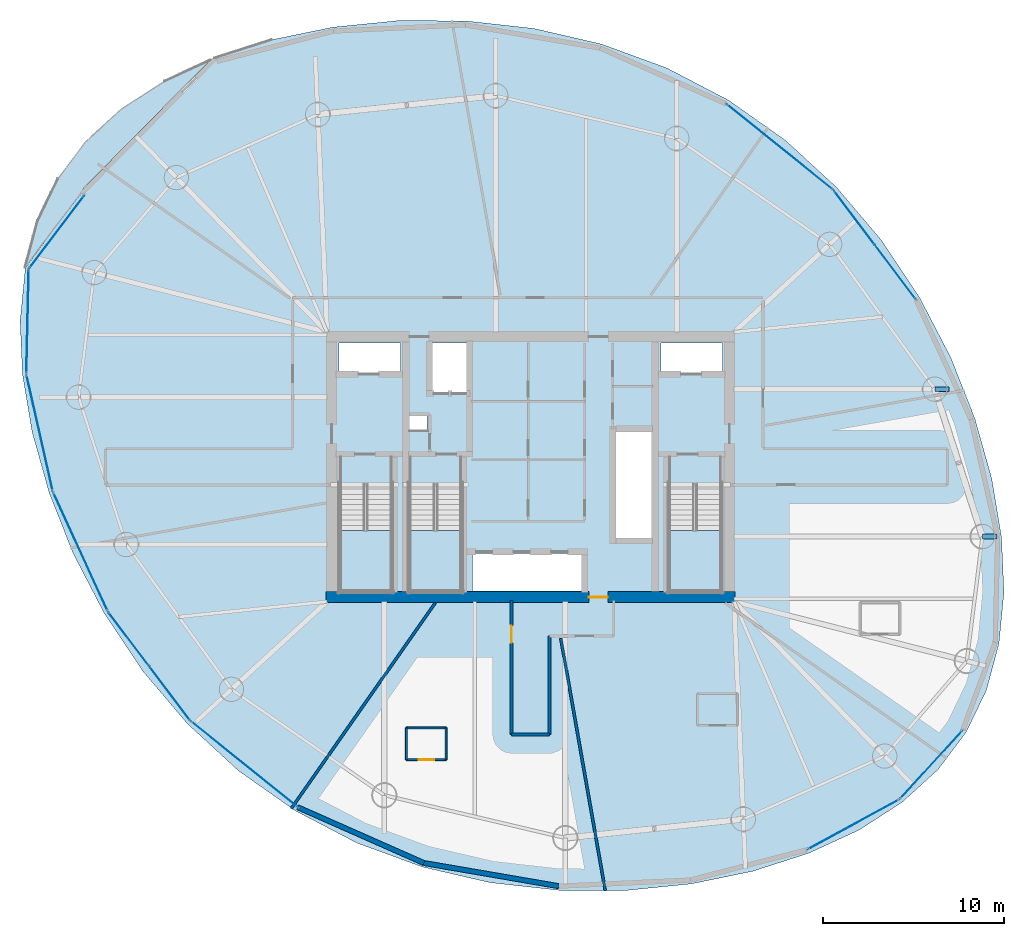
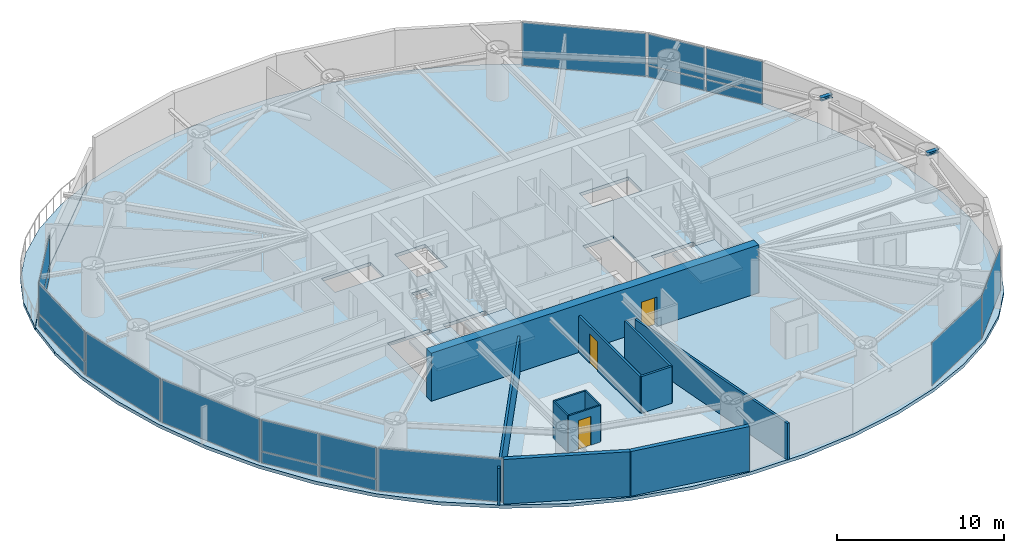
# One storey, part 14 of 20: 18 plates, 12 walls, 5 slabs, 3 doors, 2 beams, 3 openings, 13 elements without a shape of their own.
"""IFC4 building model written with IfcOpenShell, lengths in metres."""

import ifcopenshell
import ifcopenshell.guid

model = None  # the IFC model being written
_history = None  # IfcOwnerHistory: only IFC2X3 demands one
_inside = {}  # id of a spatial element -> (the spatial element, [elements in it])
_under = {}  # id of a project, library or spatial element -> (it, [spatial elements below it])
_declared = {}  # id of a project -> (the project, [libraries it declares])
_typed = {}  # id of a type object -> (the type object, [elements of that type])
_made_of = {}  # id of a material, layer set ... -> (it, [elements and type objects made of it])


def new_model(schema):
    """Start an empty IFC model of exactly this schema.

    Asked for "IFC4X3", IfcOpenShell would pick the latest addendum, in which some entities
    have other attributes; the version numbers below select the first issue.
    IFC2X3 requires an IfcOwnerHistory on every rooted entity: one is made here for all.
    """
    global model, _history
    if schema == "IFC4X3":
        model = ifcopenshell.file(schema_version=(4, 3, 0, 0))
    else:
        model = ifcopenshell.file(schema=schema)
    _inside.clear()
    _under.clear()
    _declared.clear()
    _typed.clear()
    _made_of.clear()
    _history = None
    if model.schema == "IFC2X3":
        org = make("IfcOrganization", Name="unknown")
        user = make(
            "IfcPersonAndOrganization",
            ThePerson=make("IfcPerson", FamilyName="unknown"),
            TheOrganization=org,
        )
        app = make(
            "IfcApplication",
            ApplicationDeveloper=org,
            Version="unknown",
            ApplicationFullName="unknown",
            ApplicationIdentifier="unknown",
        )
        _history = make(
            "IfcOwnerHistory",
            OwningUser=user,
            OwningApplication=app,
            ChangeAction="ADDED",
            CreationDate=0,
        )
    return model


def make(cls, **values):
    """One entity of the class cls with the attributes given. An attribute that is None is left unset."""
    return model.create_entity(
        cls, **{name: value for name, value in values.items() if value is not None}
    )


def rooted(cls, **values):
    """An entity with a GlobalId (a new one), such as an element, a storey or a relation."""
    return make(cls, GlobalId=ifcopenshell.guid.new(), OwnerHistory=_history, **values)


def si_unit(unit_type, name, prefix=None):
    """IfcSIUnit, for example si_unit("LENGTHUNIT", "METRE", prefix="MILLI")."""
    return make("IfcSIUnit", UnitType=unit_type, Prefix=prefix, Name=name)


def assignment(units):
    """IfcUnitAssignment: the units of a project."""
    return None if units is None else make("IfcUnitAssignment", Units=units)


def point(xyz):
    """IfcCartesianPoint."""
    return None if xyz is None else make("IfcCartesianPoint", Coordinates=xyz)


def direction(xyz):
    """IfcDirection."""
    return None if xyz is None else make("IfcDirection", DirectionRatios=xyz)


def frame(location, z_axis=None, x_axis=None):
    """IfcAxis2Placement3D, a coordinate frame: its origin and axes. An axis left out is left unset."""
    return make(
        "IfcAxis2Placement3D",
        Location=point(location),
        Axis=direction(z_axis),
        RefDirection=direction(x_axis),
    )


def frame_2d(location, x_axis=None):
    """IfcAxis2Placement2D, a coordinate frame in the plane: its origin and x axis."""
    return make(
        "IfcAxis2Placement2D", Location=point(location), RefDirection=direction(x_axis)
    )


def origin():
    """The frame at (0, 0, 0) with its axes left unset."""
    return frame((0.0, 0.0, 0.0))


def origin_2d():
    """The frame at (0, 0) in the plane with its x axis left unset."""
    return frame_2d((0.0, 0.0))


def place(relative_to, where):
    """IfcLocalPlacement: puts the frame where relative to a parent placement (None: the world)."""
    return make(
        "IfcLocalPlacement", PlacementRelTo=relative_to, RelativePlacement=where
    )


def context(
    kind, dimensions, precision=None, world=None, true_north=None, identifier=None
):
    """IfcGeometricRepresentationContext, for example the 3D "Model" context."""
    return make(
        "IfcGeometricRepresentationContext",
        ContextIdentifier=identifier,
        ContextType=kind,
        CoordinateSpaceDimension=dimensions,
        Precision=precision,
        WorldCoordinateSystem=world,
        TrueNorth=true_north,
    )


def subcontext(parent, identifier, kind, view, scale=None):
    """IfcGeometricRepresentationSubContext, for example "Body" below "Model"."""
    return make(
        "IfcGeometricRepresentationSubContext",
        ContextIdentifier=identifier,
        ContextType=kind,
        ParentContext=parent,
        TargetScale=scale,
        TargetView=view,
    )


def project(units=None, contexts=None):
    """IfcProject with its units and contexts."""
    return rooted(
        "IfcProject",
        Name="project",
        RepresentationContexts=contexts,
        UnitsInContext=assignment(units),
    )


def spatial(cls, under=None, at=None, **own):
    """A site, building, storey or space (cls), placed at a placement, below another one or the project."""
    s = rooted(cls, ObjectPlacement=at, **own)
    if under is not None:
        _under.setdefault(under.id(), (under, []))[1].append(s)
    return s


def polyline(points):
    """IfcPolyline through the points."""
    return make("IfcPolyline", Points=[point(p) for p in points])


def profile(cls, at=None, kind="AREA", **sizes):
    """A parametric profile (cls). Its sizes go by their IFC names, for example OverallWidth=200.0."""
    return make(cls, ProfileType=kind, Position=at, **sizes)


def rectangle(**sizes):
    """IfcRectangleProfileDef."""
    return profile("IfcRectangleProfileDef", **sizes)


def i_section(**sizes):
    """IfcIShapeProfileDef."""
    return profile("IfcIShapeProfileDef", **sizes)


def outline(outer, holes=None, kind="AREA"):
    """IfcArbitraryClosedProfileDef: a profile drawn as a closed curve; with holes, ...WithVoids."""
    if holes is None:
        return make("IfcArbitraryClosedProfileDef", ProfileType=kind, OuterCurve=outer)
    return make(
        "IfcArbitraryProfileDefWithVoids",
        ProfileType=kind,
        OuterCurve=outer,
        InnerCurves=holes,
    )


def extrude(swept, where, along, depth):
    """IfcExtrudedAreaSolid: the profile swept, set in the frame where, extruded along a direction by depth."""
    return make(
        "IfcExtrudedAreaSolid",
        SweptArea=swept,
        Position=where,
        ExtrudedDirection=direction(along),
        Depth=depth,
    )


def shape(context_of_items, identifier, shape_type, items):
    """IfcShapeRepresentation: the items that make up one representation, for example the "Body"."""
    return make(
        "IfcShapeRepresentation",
        ContextOfItems=context_of_items,
        RepresentationIdentifier=identifier,
        RepresentationType=shape_type,
        Items=items,
    )


def material(Name=None, Category=None):
    """IfcMaterial."""
    return make("IfcMaterial", Name=Name, Category=Category)


def layer(
    of_material, thickness, ventilated=None, Name=None, Category=None, Priority=None
):
    """IfcMaterialLayer: one layer of a wall or slab, of a material (None: an air gap)."""
    return make(
        "IfcMaterialLayer",
        Material=of_material,
        LayerThickness=thickness,
        IsVentilated=ventilated,
        Name=Name,
        Category=Category,
        Priority=Priority,
    )


def layer_set(layers, Name=None):
    """IfcMaterialLayerSet."""
    return make("IfcMaterialLayerSet", MaterialLayers=layers, LayerSetName=Name)


def material_profile(
    of_material, cross_section, Name=None, Category=None, Priority=None
):
    """IfcMaterialProfile: a cross section and its material."""
    return make(
        "IfcMaterialProfile",
        Name=Name,
        Material=of_material,
        Profile=cross_section,
        Priority=Priority,
        Category=Category,
    )


def profile_set(profiles, Name=None, composite=None):
    """IfcMaterialProfileSet."""
    return make(
        "IfcMaterialProfileSet",
        Name=Name,
        MaterialProfiles=profiles,
        CompositeProfile=composite,
    )


def made_of(thing, what):
    """Note that an element or type object is made of a material, layer set ...; save() writes the relation."""
    if what is not None:
        _made_of.setdefault(what.id(), (what, []))[1].append(thing)
    return thing


def type_object(cls, material=None, **own):
    """A type object (cls), such as IfcWallType, which elements share."""
    return made_of(rooted(cls, **own), material)


def element(
    cls,
    number,
    at=None,
    inside=None,
    cuts=None,
    type_object=None,
    material=None,
    context=None,
    identifier="Body",
    shape_type=None,
    held_by="IfcProductDefinitionShape",
    body=None,
    shapes=None,
    **own,
):
    """One element of the class cls, such as IfcWall. Its Tag is "e" and its number.

    at: its placement. inside: the storey or other place that contains it. cuts: it is an
    opening in that element (IfcRelVoidsElement). A single representation is given by context,
    identifier, shape_type and body (its items); several are given by shapes. held_by: the class
    of the entity that holds the representations. save() writes the other relations.
    """
    e = rooted(cls, Tag="e%d" % number, ObjectPlacement=at, **own)
    if body is not None:
        shapes = [shape(context, identifier, shape_type, body)]
    if shapes is not None:
        e.Representation = make(held_by, Representations=shapes)
    if inside is not None:
        _inside.setdefault(inside.id(), (inside, []))[1].append(e)
    if cuts is not None:
        rooted(
            "IfcRelVoidsElement", RelatingBuildingElement=cuts, RelatedOpeningElement=e
        )
    if type_object is not None:
        _typed.setdefault(type_object.id(), (type_object, []))[1].append(e)
    return made_of(e, material)


def fill(opening, filler):
    """IfcRelFillsElement: the door or window that sits in an opening."""
    return rooted(
        "IfcRelFillsElement",
        RelatingOpeningElement=opening,
        RelatedBuildingElement=filler,
    )


def aggregate(whole, parts):
    """IfcRelAggregates: a whole, such as a stair, and the parts it consists of."""
    return rooted("IfcRelAggregates", RelatingObject=whole, RelatedObjects=parts)


def save(model, path):
    """Write the relations noted so far, then the file.

    IfcRelAggregates (storeys below a building ...), IfcRelContainedInSpatialStructure (elements
    in a storey), IfcRelDefinesByType, IfcRelAssociatesMaterial and IfcRelDeclares: one each for
    every whole, place, type object, material and project.
    """
    for whole, parts in _under.values():
        aggregate(whole, parts)
    for where, things in _inside.values():
        rooted(
            "IfcRelContainedInSpatialStructure",
            RelatedElements=things,
            RelatingStructure=where,
        )
    for kind, things in _typed.values():
        rooted("IfcRelDefinesByType", RelatedObjects=things, RelatingType=kind)
    for what, things in _made_of.values():
        rooted("IfcRelAssociatesMaterial", RelatedObjects=things, RelatingMaterial=what)
    for by, libraries in _declared.values():
        rooted("IfcRelDeclares", RelatingContext=by, RelatedDefinitions=libraries)
    model.write(path)


model = new_model("IFC4")

# Units and contexts
model_context = context("Model", 3, precision=1e-05, world=origin(), true_north=direction((0.0, 1.0)))
body_context = subcontext(model_context, "Body", "Model", "MODEL_VIEW")
ifc_project = project(units=[si_unit("LENGTHUNIT", "METRE"), si_unit("AREAUNIT", "SQUARE_METRE"), si_unit("VOLUMEUNIT", "CUBIC_METRE"), si_unit("PLANEANGLEUNIT", "RADIAN"), si_unit("MASSUNIT", "GRAM", prefix="KILO")], contexts=[model_context])

# Site, building, storey
site_placement = place(None, origin())
site = spatial("IfcSite", under=ifc_project, at=site_placement, CompositionType="ELEMENT")
building_placement = place(site_placement, origin())
building = spatial("IfcBuilding", under=site, at=building_placement, Name="Bramvorn Convention Spire", CompositionType="ELEMENT")
storey_placement = place(building_placement, frame((0.0, 0.0, 155.300048828125)))
storey = spatial("IfcBuildingStorey", under=building, at=storey_placement, Name="L39", CompositionType="ELEMENT", Elevation=155.300048828125)

# Beams
ifc_material_1 = material(Name="Steel CSA G40.21 Grade 350 (350W)", Category="steel")
ifc_material_profile = material_profile(ifc_material_1, i_section(OverallWidth=0.25390625, OverallDepth=0.2529296875, WebThickness=0.008544921875, FlangeThickness=0.01416015625, FilletRadius=0.011962890625, at=origin_2d()))
ifc_profile_set = profile_set([ifc_material_profile], Name="Steel CSA G40.21 Grade 350 (350W) - W250X73")
beam_type = type_object("IfcBeamType", Name="BM-W250X73", PredefinedType="BEAM", material=ifc_profile_set)
for number, where, z_axis, x_axis, name in (
    (1, (62.983642578125, 22.148193359375, 3.133544921875), (1.0, 0.0, 0.0), (0.0, 1.0, 0.0), "L39 slab-edge cantilever tip beam MC02"),
    (2, (60.345703125, 30.293212890625, 3.133544921875), (1.0, 0.0, 0.0), (0.0, 1.0, 0.0), "L39 slab-edge cantilever tip beam MC03"),
):
    element("IfcBeam", number, at=place(storey_placement, frame(where, z_axis=z_axis, x_axis=x_axis)), inside=storey, type_object=beam_type, Name=name, PredefinedType="BEAM", context=body_context, shape_type="SweptSolid", body=[
        extrude(i_section(OverallWidth=0.25390625, OverallDepth=0.2529296875, WebThickness=0.008544921875, FlangeThickness=0.01416015625, FilletRadius=0.011962890625, at=origin_2d()), origin(), (0.0, 0.0, 1.0), 0.800048828125),
    ])

# Curtain wall, plates
ifc_material_2 = material(Name="Anodised Bronze Unitised Curtain Wall", Category="aluminium")
ifc_layer_1 = layer(ifc_material_2, 0.179931640625)
ifc_layer_set_1 = layer_set([ifc_layer_1], Name="Anodised Bronze Unitised Curtain Wall - CW-HTL-FRIT")
curtain_wall_type_1 = type_object("IfcCurtainWallType", Name="CW-HTL-FRIT", PredefinedType="USERDEFINED", material=ifc_layer_set_1)
curtain_wall_1_placement = place(storey_placement, origin())
curtain_wall_1 = element("IfcCurtainWall", 3, at=curtain_wall_1_placement, inside=storey, type_object=curtain_wall_type_1, Name="L39 fritted glass curtain wall 05", ObjectType="UNITISED CURTAIN WALL", PredefinedType="USERDEFINED")
ifc_material_3 = material(Name="Laminated Low-E Glass (Triple IGU Tapered Ceramic Frit 40%)", Category="glass")
ifc_layer_2 = layer(ifc_material_3, 0.0380859375)
ifc_layer_set_2 = layer_set([ifc_layer_2], Name="Laminated Low-E Glass (Triple IGU Tapered Ceramic Frit 40%) - PNL-IGU-2")
plate_type_1 = type_object("IfcPlateType", Name="PNL-IGU-2", PredefinedType="CURTAIN_PANEL", material=ifc_layer_set_2)
plate_1_placement = place(storey_placement, frame((55.9013671875, 39.7666015625, 0.059814453125), z_axis=(0.0, 0.0, 1.0), x_axis=(0.602514574479, -0.798107879638, 0.0)))
plate_1 = element("IfcPlate", 4, at=plate_1_placement, type_object=plate_type_1, Name="CW2 panel 1.1", PredefinedType="CURTAIN_PANEL", context=body_context, shape_type="SweptSolid", body=[
    extrude(rectangle(XDim=3.694580078125, YDim=0.028076171875, at=origin_2d()), origin(), (0.0, 0.0, 1.0), 0.81005859375),
])
plate_2_placement = place(storey_placement, frame((55.9013671875, 39.7666015625, 0.929931640625), z_axis=(0.0, 0.0, 1.0), x_axis=(0.602514574479, -0.798107879638, 0.0)))
plate_2 = element("IfcPlate", 5, at=plate_2_placement, type_object=plate_type_1, Name="CW2 panel 1.2", PredefinedType="CURTAIN_PANEL", context=body_context, shape_type="SweptSolid", body=[
    extrude(rectangle(XDim=3.694580078125, YDim=0.028076171875, at=origin_2d()), origin(), (0.0, 0.0, 1.0), 2.27001953125),
])
plate_3_placement = place(storey_placement, frame((58.163818359375, 36.77001953125, 0.059814453125), z_axis=(0.0, 0.0, 1.0), x_axis=(0.602514574479, -0.798107879638, 0.0)))
plate_3 = element("IfcPlate", 6, at=plate_3_placement, type_object=plate_type_1, Name="CW2 panel 2.1", PredefinedType="CURTAIN_PANEL", context=body_context, shape_type="SweptSolid", body=[
    extrude(rectangle(XDim=3.694580078125, YDim=0.028076171875, at=origin_2d()), origin(), (0.0, 0.0, 1.0), 0.81005859375),
])
plate_4_placement = place(storey_placement, frame((58.163818359375, 36.77001953125, 0.929931640625), z_axis=(0.0, 0.0, 1.0), x_axis=(0.602514574479, -0.798107879638, 0.0)))
plate_4 = element("IfcPlate", 7, at=plate_4_placement, type_object=plate_type_1, Name="CW2 panel 2.2", PredefinedType="CURTAIN_PANEL", context=body_context, shape_type="SweptSolid", body=[
    extrude(rectangle(XDim=3.694580078125, YDim=0.028076171875, at=origin_2d()), origin(), (0.0, 0.0, 1.0), 2.27001953125),
])
aggregate(curtain_wall_1, [plate_1, plate_2, plate_3, plate_4])

# Curtain wall, plate
curtain_wall_2_placement = place(storey_placement, origin())
curtain_wall_2 = element("IfcCurtainWall", 8, at=curtain_wall_2_placement, inside=storey, type_object=curtain_wall_type_1, Name="L39 fritted glass curtain wall 06", ObjectType="UNITISED CURTAIN WALL", PredefinedType="USERDEFINED")
plate_5_placement = place(storey_placement, frame((51.785888671875, 43.677978515625, 0.06005859375), z_axis=(0.0, 0.0, 1.0), x_axis=(0.778820532787, -0.627246823594, 0.0)))
plate_5 = element("IfcPlate", 9, at=plate_5_placement, type_object=plate_type_1, Name="CW2 panel 1.1", PredefinedType="CURTAIN_PANEL", context=body_context, shape_type="SweptSolid", body=[
    extrude(rectangle(XDim=7.497314453125, YDim=0.028076171875, at=origin_2d()), origin(), (0.0, 0.0, 1.0), 3.139892578125),
])
aggregate(curtain_wall_2, [plate_5])

curtain_wall_3_placement = place(storey_placement, origin())
curtain_wall_3 = element("IfcCurtainWall", 10, at=curtain_wall_3_placement, inside=storey, type_object=curtain_wall_type_1, Name="L39 fritted glass curtain wall 15", ObjectType="UNITISED CURTAIN WALL", PredefinedType="USERDEFINED")
plate_6_placement = place(storey_placement, frame((10.864501953125, 27.880126953125, 0.06005859375), z_axis=(0.0, 0.0, 1.0), x_axis=(-0.220476381627, 0.975392313454, 0.0)))
plate_6 = element("IfcPlate", 11, at=plate_6_placement, type_object=plate_type_1, Name="CW2 panel 1.1", PredefinedType="CURTAIN_PANEL", context=body_context, shape_type="SweptSolid", body=[
    extrude(rectangle(XDim=6.545166015625, YDim=0.028076171875, at=origin_2d()), origin(), (0.0, 0.0, 1.0), 3.139892578125),
])
aggregate(curtain_wall_3, [plate_6])

curtain_wall_4_placement = place(storey_placement, origin())
curtain_wall_4 = element("IfcCurtainWall", 12, at=curtain_wall_4_placement, inside=storey, type_object=curtain_wall_type_1, Name="L39 fritted glass curtain wall 16", ObjectType="UNITISED CURTAIN WALL", PredefinedType="USERDEFINED")
plate_7_placement = place(storey_placement, frame((13.118408203125, 21.315185546875, 0.06005859375), z_axis=(0.0, 0.0, 1.0), x_axis=(-0.416671238009, 0.909057247601, 0.0)))
plate_7 = element("IfcPlate", 13, at=plate_7_placement, type_object=plate_type_1, Name="CW2 panel 1.1", PredefinedType="CURTAIN_PANEL", context=body_context, shape_type="SweptSolid", body=[
    extrude(rectangle(XDim=7.171875, YDim=0.028076171875, at=origin_2d()), origin(), (0.0, 0.0, 1.0), 3.139892578125),
])
aggregate(curtain_wall_4, [plate_7])

# Curtain wall, plates
curtain_wall_5_placement = place(storey_placement, origin())
curtain_wall_5 = element("IfcCurtainWall", 14, at=curtain_wall_5_placement, inside=storey, type_object=curtain_wall_type_1, Name="L39 fritted glass curtain wall 17", ObjectType="UNITISED CURTAIN WALL", PredefinedType="USERDEFINED")
plate_8_placement = place(storey_placement, frame((18.048828125, 13.48193359375, 0.059814453125), z_axis=(0.0, 0.0, 1.0), x_axis=(-0.6025125121, 0.798109436583, 0.0)))
plate_8 = element("IfcPlate", 15, at=plate_8_placement, type_object=plate_type_1, Name="CW2 panel 1.1", PredefinedType="CURTAIN_PANEL", context=body_context, shape_type="SweptSolid", body=[
    extrude(rectangle(XDim=3.694580078125, YDim=0.028076171875, at=origin_2d()), origin(), (0.0, 0.0, 1.0), 0.81005859375),
])
plate_9_placement = place(storey_placement, frame((18.048828125, 13.48193359375, 0.929931640625), z_axis=(0.0, 0.0, 1.0), x_axis=(-0.6025125121, 0.798109436583, 0.0)))
plate_9 = element("IfcPlate", 16, at=plate_9_placement, type_object=plate_type_1, Name="CW2 panel 1.2", PredefinedType="CURTAIN_PANEL", context=body_context, shape_type="SweptSolid", body=[
    extrude(rectangle(XDim=3.694580078125, YDim=0.028076171875, at=origin_2d()), origin(), (0.0, 0.0, 1.0), 2.27001953125),
])
plate_10_placement = place(storey_placement, frame((15.78662109375, 16.478515625, 0.059814453125), z_axis=(0.0, 0.0, 1.0), x_axis=(-0.6025125121, 0.798109436583, 0.0)))
plate_10 = element("IfcPlate", 17, at=plate_10_placement, type_object=plate_type_1, Name="CW2 panel 2.1", PredefinedType="CURTAIN_PANEL", context=body_context, shape_type="SweptSolid", body=[
    extrude(rectangle(XDim=3.694580078125, YDim=0.028076171875, at=origin_2d()), origin(), (0.0, 0.0, 1.0), 0.81005859375),
])
plate_11_placement = place(storey_placement, frame((15.78662109375, 16.478515625, 0.929931640625), z_axis=(0.0, 0.0, 1.0), x_axis=(-0.6025125121, 0.798109436583, 0.0)))
plate_11 = element("IfcPlate", 18, at=plate_11_placement, type_object=plate_type_1, Name="CW2 panel 2.2", PredefinedType="CURTAIN_PANEL", context=body_context, shape_type="SweptSolid", body=[
    extrude(rectangle(XDim=3.694580078125, YDim=0.028076171875, at=origin_2d()), origin(), (0.0, 0.0, 1.0), 2.27001953125),
])
aggregate(curtain_wall_5, [plate_8, plate_9, plate_10, plate_11])

# Curtain wall, plate
curtain_wall_6_placement = place(storey_placement, origin())
curtain_wall_6 = element("IfcCurtainWall", 19, at=curtain_wall_6_placement, inside=storey, type_object=curtain_wall_type_1, Name="L39 fritted glass curtain wall 18", ObjectType="UNITISED CURTAIN WALL", PredefinedType="USERDEFINED")
plate_12_placement = place(storey_placement, frame((22.164306640625, 9.57080078125, 0.06005859375), z_axis=(0.0, 0.0, 1.0), x_axis=(-0.778814119699, 0.627254786317, 0.0)))
plate_12 = element("IfcPlate", 20, at=plate_12_placement, type_object=plate_type_1, Name="CW2 panel 1.1", PredefinedType="CURTAIN_PANEL", context=body_context, shape_type="SweptSolid", body=[
    extrude(rectangle(XDim=7.49755859375, YDim=0.028076171875, at=origin_2d()), origin(), (0.0, 0.0, 1.0), 3.139892578125),
])
aggregate(curtain_wall_6, [plate_12])

curtain_wall_7_placement = place(storey_placement, origin())
curtain_wall_7 = element("IfcCurtainWall", 21, at=curtain_wall_7_placement, inside=storey, type_object=curtain_wall_type_1, Name="L39 fritted glass curtain wall 23", ObjectType="UNITISED CURTAIN WALL", PredefinedType="USERDEFINED")
plate_13_placement = place(storey_placement, frame((55.84814453125, 6.229736328125, 0.06005859375), z_axis=(0.0, 0.0, 1.0), x_axis=(-0.877917887228, -0.478811218838, 0.0)))
plate_13 = element("IfcPlate", 22, at=plate_13_placement, type_object=plate_type_1, Name="CW2 panel 1.1", PredefinedType="CURTAIN_PANEL", context=body_context, shape_type="SweptSolid", body=[
    extrude(rectangle(XDim=5.70263671875, YDim=0.028076171875, at=origin_2d()), origin(), (0.0, 0.0, 1.0), 3.139892578125),
])
aggregate(curtain_wall_7, [plate_13])

curtain_wall_8_placement = place(storey_placement, origin())
curtain_wall_8 = element("IfcCurtainWall", 23, at=curtain_wall_8_placement, inside=storey, type_object=curtain_wall_type_1, Name="L39 fritted glass curtain wall 24", ObjectType="UNITISED CURTAIN WALL", PredefinedType="USERDEFINED")
plate_14_placement = place(storey_placement, frame((60.149658203125, 9.533447265625, 0.06005859375), z_axis=(0.0, 0.0, 1.0), x_axis=(-0.674671145648, -0.738118449322, 0.0)))
plate_14 = element("IfcPlate", 24, at=plate_14_placement, type_object=plate_type_1, Name="CW2 panel 1.1", PredefinedType="CURTAIN_PANEL", context=body_context, shape_type="SweptSolid", body=[
    extrude(rectangle(XDim=5.054443359375, YDim=0.028076171875, at=origin_2d()), origin(), (0.0, 0.0, 1.0), 3.139892578125),
])
aggregate(curtain_wall_8, [plate_14])

# Curtain wall, plates
ifc_layer_3 = layer(ifc_material_2, 0.219970703125)
ifc_layer_set_3 = layer_set([ifc_layer_3], Name="Anodised Bronze Unitised Curtain Wall - CW-SKYGARDEN")
curtain_wall_type_2 = type_object("IfcCurtainWallType", Name="CW-SKYGARDEN", PredefinedType="USERDEFINED", material=ifc_layer_set_3)
curtain_wall_9_placement = place(storey_placement, origin())
curtain_wall_9 = element("IfcCurtainWall", 25, at=curtain_wall_9_placement, inside=storey, type_object=curtain_wall_type_2, Name="L39 Sky Garden glazed facade 13", ObjectType="WINTER GARDEN GLAZING", PredefinedType="USERDEFINED")
ifc_material_4 = material(Name="Laminated Low-E Glass (Acoustic Laminated Podium Triple IGU)", Category="glass")
ifc_layer_4 = layer(ifc_material_4, 0.0458984375)
ifc_layer_set_4 = layer_set([ifc_layer_4], Name="Laminated Low-E Glass (Acoustic Laminated Podium Triple IGU) - PNL-IGU-5")
plate_type_2 = type_object("IfcPlateType", Name="PNL-IGU-5", PredefinedType="CURTAIN_PANEL", material=ifc_layer_set_4)
plate_15_placement = place(storey_placement, frame((11.803466796875, 38.986083984375, 0.06005859375), z_axis=(0.0, 0.0, 1.0), x_axis=(0.603820719968, 0.797120152886, 0.0)))
plate_15 = element("IfcPlate", 26, at=plate_15_placement, type_object=plate_type_2, Name="CW4 panel 1.1", PredefinedType="CURTAIN_PANEL", context=body_context, shape_type="SweptSolid", body=[
    extrude(rectangle(XDim=4.98388671875, YDim=0.028076171875, at=origin_2d()), origin(), (0.0, 0.0, 1.0), 0.909912109375),
])
plate_16_placement = place(storey_placement, frame((11.803466796875, 38.986083984375, 1.030029296875), z_axis=(0.0, 0.0, 1.0), x_axis=(0.603820719968, 0.797120152886, 0.0)))
plate_16 = element("IfcPlate", 27, at=plate_16_placement, type_object=plate_type_2, Name="CW4 panel 1.2", PredefinedType="CURTAIN_PANEL", context=body_context, shape_type="SweptSolid", body=[
    extrude(rectangle(XDim=4.98388671875, YDim=0.028076171875, at=origin_2d()), origin(), (0.0, 0.0, 1.0), 2.169921875),
])
aggregate(curtain_wall_9, [plate_15, plate_16])

curtain_wall_10_placement = place(storey_placement, origin())
curtain_wall_10 = element("IfcCurtainWall", 28, at=curtain_wall_10_placement, inside=storey, type_object=curtain_wall_type_2, Name="L39 Sky Garden glazed facade 14", ObjectType="WINTER GARDEN GLAZING", PredefinedType="USERDEFINED")
plate_17_placement = place(storey_placement, frame((10.196044921875, 34.041259765625, 0.06005859375), z_axis=(0.0, 0.0, 1.0), x_axis=(0.022824396721, 0.999739489524, 0.0)))
plate_17 = element("IfcPlate", 29, at=plate_17_placement, type_object=plate_type_2, Name="CW4 panel 1.1", PredefinedType="CURTAIN_PANEL", context=body_context, shape_type="SweptSolid", body=[
    extrude(rectangle(XDim=5.70263671875, YDim=0.028076171875, at=origin_2d()), origin(), (0.0, 0.0, 1.0), 0.909912109375),
])
plate_18_placement = place(storey_placement, frame((10.196044921875, 34.041259765625, 1.030029296875), z_axis=(0.0, 0.0, 1.0), x_axis=(0.022824396721, 0.999739489524, 0.0)))
plate_18 = element("IfcPlate", 30, at=plate_18_placement, type_object=plate_type_2, Name="CW4 panel 1.2", PredefinedType="CURTAIN_PANEL", context=body_context, shape_type="SweptSolid", body=[
    extrude(rectangle(XDim=5.70263671875, YDim=0.028076171875, at=origin_2d()), origin(), (0.0, 0.0, 1.0), 2.169921875),
])
aggregate(curtain_wall_10, [plate_17, plate_18])

# Slab
ifc_material_5 = material(Name="Concrete C40/50 Sky-Garden Terrace Slab", Category="concrete")
ifc_layer_5 = layer(ifc_material_5, 0.260009765625)
ifc_layer_set_5 = layer_set([ifc_layer_5], Name="Concrete C40/50 Sky-Garden Terrace Slab - SLB-SKYGARDEN-260")
slab_type_1 = type_object("IfcSlabType", Name="SLB-SKYGARDEN-260", PredefinedType="FLOOR", material=ifc_layer_set_5)
slab_1_placement = place(storey_placement, frame((0.0, 0.0, -0.260009765625)))
element("IfcSlab", 31, at=slab_1_placement, inside=storey, type_object=slab_type_1, Name="L39 planted double-height Sky Garden terrace slab", PredefinedType="FLOOR", context=body_context, shape_type="SweptSolid", body=[
    extrude(outline(polyline([(10.74755859375, 39.598388671875), (10.053466796875, 37.01708984375), (11.63623046875, 39.156494140625), (13.155029296875, 41.1357421875), (13.290283203125, 41.4013671875), (20.3125, 48.4921875), (17.779541015625, 47.322998046875), (15.392333984375, 45.78076171875), (13.4169921875, 43.97998046875), (11.867431640625, 41.920166015625), (10.74755859375, 39.598388671875)])), origin(), (0.0, 0.0, 1.0), 0.260009765625),
])

# Stair, slab
ifc_material_6 = material(Name="Concrete C40/50 Precast Stair", Category="concrete")
stair_type = type_object("IfcStairType", Name="ST-TOWER-1550", PredefinedType="HALF_TURN_STAIR", material=ifc_material_6)
stair_1_placement = place(storey_placement, origin())
stair_1 = element("IfcStair", 32, at=stair_1_placement, inside=storey, type_object=stair_type, Name="L39 Protected Exit Stair ST1", PredefinedType="HALF_TURN_STAIR")
ifc_material_7 = material(Name="Concrete C40/50 Stair Landing", Category="concrete")
ifc_layer_6 = layer(ifc_material_7, 0.219970703125)
ifc_layer_set_6 = layer_set([ifc_layer_6], Name="Concrete C40/50 Stair Landing - SLB-STAIR-LANDING")
slab_type_2 = type_object("IfcSlabType", Name="SLB-STAIR-LANDING", PredefinedType="LANDING", material=ifc_layer_set_6)
slab_2_placement = place(storey_placement, frame((0.0, 0.0, 1.550048828125)))
slab_2 = element("IfcSlab", 33, at=slab_2_placement, type_object=slab_type_2, Name="ST1 landing 1", PredefinedType="LANDING", context=body_context, shape_type="SweptSolid", body=[
    extrude(outline(polyline([(27.449951171875, 22.485107421875), (27.449951171875, 19.10009765625), (30.35009765625, 19.10009765625), (30.35009765625, 22.485107421875), (27.449951171875, 22.485107421875)])), origin(), (0.0, 0.0, 1.0), 0.199951171875),
])
aggregate(stair_1, [slab_2])

stair_2_placement = place(storey_placement, origin())
stair_2 = element("IfcStair", 34, at=stair_2_placement, inside=storey, type_object=stair_type, Name="L39 Protected Exit Stair ST2", PredefinedType="HALF_TURN_STAIR")
slab_3_placement = place(storey_placement, frame((0.0, 0.0, 1.550048828125)))
slab_3 = element("IfcSlab", 35, at=slab_3_placement, type_object=slab_type_2, Name="ST2 landing 1", PredefinedType="LANDING", context=body_context, shape_type="SweptSolid", body=[
    extrude(outline(polyline([(45.64990234375, 22.485107421875), (45.64990234375, 19.10009765625), (48.550048828125, 19.10009765625), (48.550048828125, 22.485107421875), (45.64990234375, 22.485107421875)])), origin(), (0.0, 0.0, 1.0), 0.199951171875),
])
aggregate(stair_2, [slab_3])

stair_3_placement = place(storey_placement, origin())
stair_3 = element("IfcStair", 36, at=stair_3_placement, inside=storey, type_object=stair_type, Name="L39 Protected Exit Stair ST3", PredefinedType="HALF_TURN_STAIR")
slab_4_placement = place(storey_placement, frame((0.0, 0.0, 1.550048828125)))
slab_4 = element("IfcSlab", 37, at=slab_4_placement, type_object=slab_type_2, Name="ST3 landing 1", PredefinedType="LANDING", context=body_context, shape_type="SweptSolid", body=[
    extrude(outline(polyline([(31.300048828125, 22.485107421875), (31.300048828125, 19.10009765625), (34.199951171875, 19.10009765625), (34.199951171875, 22.485107421875), (31.300048828125, 22.485107421875)])), origin(), (0.0, 0.0, 1.0), 0.199951171875),
])
aggregate(stair_3, [slab_4])

# Slab
ifc_material_8 = material(Name="Concrete C50/60", Category="concrete")
ifc_layer_7 = layer(ifc_material_8, 0.239990234375)
ifc_layer_set_7 = layer_set([ifc_layer_7], Name="Concrete C50/60 - SLB-Z2-240")
slab_type_3 = type_object("IfcSlabType", Name="SLB-Z2-240", PredefinedType="FLOOR", material=ifc_layer_set_7)
slab_5_placement = place(storey_placement, frame((0.0, 0.0, -0.239990234375)))
element("IfcSlab", 38, at=slab_5_placement, inside=storey, type_object=slab_type_3, Name="L39 tower floor slab", PredefinedType="FLOOR", context=body_context, shape_type="SweptSolid", body=[
    extrude(outline(polyline([(60.533447265625, 9.2685546875), (58.55810546875, 7.468017578125), (56.1708984375, 5.925537109375), (53.39990234375, 4.646484375), (50.2880859375, 3.64501953125), (46.893310546875, 2.946044921875), (43.2861328125, 2.582763671875), (39.548095703125, 2.593017578125), (35.766357421875, 3.0146484375), (32.02783203125, 3.877685546875), (28.41650390625, 5.199462890625), (25.007080078125, 6.978759765625), (21.862060546875, 9.1923828125), (19.03125, 11.79541015625), (16.549560546875, 14.721435546875), (14.4404296875, 17.888916015625), (12.716796875, 21.20556640625), (11.385498046875, 24.57763671875), (10.449462890625, 27.9150390625), (9.912109375, 31.139404296875), (9.77783203125, 34.1884765625), (9.77978515625, 34.208251953125), (9.797607421875, 34.1865234375), (10.072998046875, 37.009765625), (11.644287109375, 39.150634765625), (13.1708984375, 41.12353515625), (13.297607421875, 41.394287109375), (20.338134765625, 48.504150390625), (20.55029296875, 48.602294921875), (23.662353515625, 49.603515625), (27.05712890625, 50.302490234375), (30.664306640625, 50.666015625), (34.402099609375, 50.655517578125), (38.18408203125, 50.234130859375), (41.922607421875, 49.37109375), (45.53369140625, 48.049072265625), (48.943359375, 46.27001953125), (52.088134765625, 44.05615234375), (54.919189453125, 41.453369140625), (57.40087890625, 38.527099609375), (59.510009765625, 35.35986328125), (61.2333984375, 32.04296875), (62.56494140625, 28.671142578125), (63.5009765625, 25.33349609375), (64.038330078125, 22.109130859375), (64.172607421875, 19.060302734375), (63.896728515625, 16.2314453125), (63.202880859375, 13.650146484375), (62.0830078125, 11.32861328125), (60.533447265625, 9.2685546875)]), holes=[polyline([(27.449951171875, 25.050048828125), (27.449951171875, 19.10009765625), (30.35009765625, 19.10009765625), (30.35009765625, 25.050048828125), (27.449951171875, 25.050048828125)]), polyline([(45.64990234375, 25.050048828125), (45.64990234375, 19.10009765625), (48.550048828125, 19.10009765625), (48.550048828125, 25.050048828125), (45.64990234375, 25.050048828125)]), polyline([(31.300048828125, 25.050048828125), (31.300048828125, 19.10009765625), (34.199951171875, 19.10009765625), (34.199951171875, 25.050048828125), (31.300048828125, 25.050048828125)]), polyline([(27.39990234375, 31.219970703125), (30.800048828125, 31.219970703125), (30.800048828125, 32.85009765625), (27.39990234375, 32.85009765625), (27.39990234375, 31.219970703125)]), polyline([(45.199951171875, 31.219970703125), (48.60009765625, 31.219970703125), (48.60009765625, 32.85009765625), (45.199951171875, 32.85009765625), (45.199951171875, 31.219970703125)]), polyline([(32.449951171875, 30.14990234375), (34.56005859375, 30.14990234375), (34.56005859375, 32.85009765625), (32.449951171875, 32.85009765625), (32.449951171875, 30.14990234375)]), polyline([(34.800048828125, 19.14990234375), (40.97998046875, 19.14990234375), (40.97998046875, 21.199951171875), (34.800048828125, 21.199951171875), (34.800048828125, 19.14990234375)]), polyline([(42.6201171875, 22.0), (44.75, 22.0), (44.75, 28.0), (42.6201171875, 28.0), (42.6201171875, 22.0)]), polyline([(31.320068359375, 28.02001953125), (32.280029296875, 28.02001953125), (32.280029296875, 28.820068359375), (31.320068359375, 28.820068359375), (31.320068359375, 28.02001953125)])]), origin(), (0.0, 0.0, 1.0), 0.239990234375),
])

# Wall, opening, door
ifc_material_9 = material(Name="Concrete C60/70", Category="concrete")
ifc_layer_8 = layer(ifc_material_9, 0.60009765625)
ifc_layer_set_8 = layer_set([ifc_layer_8], Name="Concrete C60/70 - WL-CORE-600")
wall_type_1 = type_object("IfcWallType", Name="WL-CORE-600", PredefinedType="SHEAR", material=ifc_layer_set_8)
wall_1_placement = place(storey_placement, frame((26.699951171875, 18.800048828125, 0.0), z_axis=(0.0, 0.0, 1.0), x_axis=(1.0, 0.0, 0.0)))
wall_1 = element("IfcWall", 39, at=wall_1_placement, inside=storey, type_object=wall_type_1, Name="L39 South RC core shear wall", PredefinedType="SHEAR", context=body_context, shape_type="SweptSolid", body=[
    extrude(rectangle(XDim=22.60009765625, YDim=0.60009765625, at=frame_2d((11.300048828125, 0.0))), origin(), (0.0, 0.0, 1.0), 3.5),
])
opening_1_placement = place(wall_1_placement, frame((14.52001953125, 0.0, 0.0)))
opening_1 = element("IfcOpeningElement", 40, at=opening_1_placement, cuts=wall_1, Name="Opening DL-105", PredefinedType="OPENING", context=body_context, shape_type="SweptSolid", body=[
    extrude(rectangle(XDim=1.050048828125, YDim=2.14990234375, at=frame_2d((0.52490234375, 1.074951171875))), frame((0.0, 0.31005859375, 0.0), z_axis=(0.0, -1.0, 0.0), x_axis=(1.0, 0.0, 0.0)), (0.0, 0.0, 1.0), 0.6201171875),
])
ifc_material_10 = material(Name="Smoke-Sealed Fire Lobby Timber-Core Door", Category="wood")
door_type_1 = type_object("IfcDoorType", Name="DR-LOBBY-1050", OperationType="NOTDEFINED", PredefinedType="DOOR", material=ifc_material_10)
door_1_placement = place(opening_1_placement, origin())
door_1 = element("IfcDoor", 41, at=door_1_placement, inside=storey, type_object=door_type_1, Name="L39 South Lift Lobby fire door", OperationType="SINGLE_SWING_RIGHT", OverallHeight=2.14990234375, OverallWidth=1.050048828125, PredefinedType="DOOR", context=body_context, shape_type="SweptSolid", body=[
    extrude(rectangle(XDim=1.050048828125, YDim=2.14990234375, at=frame_2d((0.52490234375, 1.074951171875))), frame((0.0, 0.02490234375, 0.0), z_axis=(0.0, -1.0, 0.0), x_axis=(1.0, 0.0, 0.0)), (0.0, 0.0, 1.0), 0.050048828125),
])
fill(opening_1, door_1)

# Walls
ifc_material_11 = material(Name="Precast Concrete C40/50 with Bronze Terracotta Rainscreen", Category="masonry")
ifc_layer_9 = layer(ifc_material_11, 0.300048828125)
ifc_layer_set_9 = layer_set([ifc_layer_9], Name="Precast Concrete C40/50 with Bronze Terracotta Rainscreen - WL-EXT-BRONZE-300")
wall_type_2 = type_object("IfcWallType", Name="WL-EXT-BRONZE-300", PredefinedType="SOLIDWALL", material=ifc_layer_set_9)
wall_2_placement = place(storey_placement, frame((32.097412109375, 4.101318359375, 0.0), z_axis=(0.0, 0.0, 1.0), x_axis=(-0.914590963811, 0.404380228147, 0.0)))
element("IfcWall", 42, at=wall_2_placement, inside=storey, type_object=wall_type_2, Name="L39 expressed bronze Gothic lancet pier wall 19", PredefinedType="SOLIDWALL", context=body_context, shape_type="SweptSolid", body=[
    extrude(rectangle(XDim=7.617431640625, YDim=0.280029296875, at=frame_2d((3.80859375, 0.0))), origin(), (0.0, 0.0, 1.0), 3.260009765625),
])
wall_3_placement = place(storey_placement, frame((39.557373046875, 2.819580078125, 0.0), z_axis=(0.0, 0.0, 1.0), x_axis=(-0.985558648747, 0.169334432057, 0.0)))
element("IfcWall", 43, at=wall_3_placement, inside=storey, type_object=wall_type_2, Name="L39 expressed bronze Gothic lancet pier wall 20", PredefinedType="SOLIDWALL", context=body_context, shape_type="SweptSolid", body=[
    extrude(rectangle(XDim=7.5693359375, YDim=0.280029296875, at=frame_2d((3.78466796875, 0.0))), origin(), (0.0, 0.0, 1.0), 3.260009765625),
])

# Wall, opening, door
ifc_material_12 = material(Name="Lightweight En-Suite & Wet-Wall Partition", Category="gypsum")
ifc_layer_10 = layer(ifc_material_12, 0.110107421875)
ifc_layer_set_10 = layer_set([ifc_layer_10], Name="Lightweight En-Suite & Wet-Wall Partition - WL-PART-110")
wall_type_3 = type_object("IfcWallType", Name="WL-PART-110", PredefinedType="PARTITIONING", material=ifc_layer_set_10)
wall_4_placement = place(storey_placement, frame((31.14013671875, 9.8154296875, 0.0), z_axis=(0.0, 0.0, 1.0), x_axis=(1.0, 0.0, 0.0)))
wall_4 = element("IfcWall", 44, at=wall_4_placement, inside=storey, type_object=wall_type_3, Name="Hotel Suite 3906 en-suite south wall", PredefinedType="PARTITIONING", context=body_context, shape_type="SweptSolid", body=[
    extrude(rectangle(XDim=2.199951171875, YDim=0.110107421875, at=frame_2d((1.10009765625, 0.0))), origin(), (0.0, 0.0, 1.0), 2.675048828125),
])
opening_2_placement = place(wall_4_placement, frame((0.679931640625, 0.0, 0.0)))
opening_2 = element("IfcOpeningElement", 45, at=opening_2_placement, cuts=wall_4, Name="Opening DI-085", PredefinedType="OPENING", context=body_context, shape_type="SweptSolid", body=[
    extrude(rectangle(XDim=0.85009765625, YDim=2.10009765625, at=frame_2d((0.425048828125, 1.050048828125))), frame((0.0, 0.06494140625, 0.0), z_axis=(0.0, -1.0, 0.0), x_axis=(1.0, 0.0, 0.0)), (0.0, 0.0, 1.0), 0.130126953125),
])
ifc_material_13 = material(Name="En-Suite & Restroom Privacy Door", Category="wood")
door_type_2 = type_object("IfcDoorType", Name="DR-INT-850", OperationType="NOTDEFINED", PredefinedType="DOOR", material=ifc_material_13)
door_2_placement = place(opening_2_placement, origin())
door_2 = element("IfcDoor", 46, at=door_2_placement, inside=storey, type_object=door_type_2, Name="Hotel Suite 3906 En-Suite Bathroom door", OperationType="SINGLE_SWING_LEFT", OverallHeight=2.10009765625, OverallWidth=0.85009765625, PredefinedType="DOOR", context=body_context, shape_type="SweptSolid", body=[
    extrude(rectangle(XDim=0.85009765625, YDim=2.10009765625, at=frame_2d((0.425048828125, 1.050048828125))), frame((0.0, 0.02490234375, 0.0), z_axis=(0.0, -1.0, 0.0), x_axis=(1.0, 0.0, 0.0)), (0.0, 0.0, 1.0), 0.050048828125),
])
fill(opening_2, door_2)

# Walls
wall_5_placement = place(storey_placement, frame((31.14013671875, 11.575439453125, 0.0), z_axis=(0.0, 0.0, 1.0), x_axis=(1.0, 0.0, 0.0)))
element("IfcWall", 47, at=wall_5_placement, inside=storey, type_object=wall_type_3, Name="Hotel Suite 3906 en-suite north wall", PredefinedType="PARTITIONING", context=body_context, shape_type="SweptSolid", body=[
    extrude(rectangle(XDim=2.199951171875, YDim=0.110107421875, at=frame_2d((1.10009765625, 0.0))), origin(), (0.0, 0.0, 1.0), 2.675048828125),
])
for number, where, z_axis, x_axis, name in (
    (48, (31.14013671875, 9.8154296875, 0.0), (0.0, 0.0, 1.0), (0.0, 1.0, 0.0), "Hotel Suite 3906 en-suite west wall"),
    (49, (33.340087890625, 9.8154296875, 0.0), (0.0, 0.0, 1.0), (0.0, 1.0, 0.0), "Hotel Suite 3906 en-suite east wall"),
):
    element("IfcWall", number, at=place(storey_placement, frame(where, z_axis=z_axis, x_axis=x_axis)), inside=storey, type_object=wall_type_3, Name=name, PredefinedType="PARTITIONING", context=body_context, shape_type="SweptSolid", body=[
        extrude(rectangle(XDim=1.760009765625, YDim=0.110107421875, at=frame_2d((0.8798828125, 0.0))), origin(), (0.0, 0.0, 1.0), 2.675048828125),
    ])

# Wall, opening, door
ifc_material_14 = material(Name="Acoustic Metal-Stud Tenant/Corridor Partition", Category="gypsum")
ifc_layer_11 = layer(ifc_material_14, 0.14990234375)
ifc_layer_set_11 = layer_set([ifc_layer_11], Name="Acoustic Metal-Stud Tenant/Corridor Partition - WL-PART-150")
wall_type_4 = type_object("IfcWallType", Name="WL-PART-150", PredefinedType="PARTITIONING", material=ifc_layer_set_11)
wall_6_placement = place(storey_placement, frame((36.949951171875, 11.199951171875, 0.0), z_axis=(0.0, 0.0, 1.0), x_axis=(0.0, 1.0, 0.0)))
wall_6 = element("IfcWall", 50, at=wall_6_placement, inside=storey, type_object=wall_type_4, Name="L39 South axial spine west wall", PredefinedType="PARTITIONING", context=body_context, shape_type="SweptSolid", body=[
    extrude(rectangle(XDim=7.400146484375, YDim=0.14990234375, at=frame_2d((3.7001953125, 0.0))), origin(), (0.0, 0.0, 1.0), 2.675048828125),
])
opening_3_placement = place(wall_6_placement, frame((5.074951171875, 0.0, 0.0)))
opening_3 = element("IfcOpeningElement", 51, at=opening_3_placement, cuts=wall_6, Name="Opening DH-095", PredefinedType="OPENING", context=body_context, shape_type="SweptSolid", body=[
    extrude(rectangle(XDim=0.949951171875, YDim=2.14990234375, at=frame_2d((0.47509765625, 1.074951171875))), frame((0.0, 0.0849609375, 0.0), z_axis=(0.0, -1.0, 0.0), x_axis=(1.0, 0.0, 0.0)), (0.0, 0.0, 1.0), 0.169921875),
])
ifc_material_15 = material(Name="Solid-Core Acoustic Guestroom Entry Door", Category="wood")
door_type_3 = type_object("IfcDoorType", Name="DR-HOTEL-950", OperationType="NOTDEFINED", PredefinedType="DOOR", material=ifc_material_15)
door_3_placement = place(opening_3_placement, origin())
door_3 = element("IfcDoor", 52, at=door_3_placement, inside=storey, type_object=door_type_3, Name="Hotel Suite 3906 entry door", OperationType="SINGLE_SWING_RIGHT", OverallHeight=2.14990234375, OverallWidth=0.949951171875, PredefinedType="DOOR", context=body_context, shape_type="SweptSolid", body=[
    extrude(rectangle(XDim=0.949951171875, YDim=2.14990234375, at=frame_2d((0.47509765625, 1.074951171875))), frame((0.0, 0.02490234375, 0.0), z_axis=(0.0, -1.0, 0.0), x_axis=(1.0, 0.0, 0.0)), (0.0, 0.0, 1.0), 0.050048828125),
])
fill(opening_3, door_3)

# Walls
wall_7_placement = place(storey_placement, frame((39.050048828125, 11.199951171875, 0.0), z_axis=(0.0, 0.0, 1.0), x_axis=(0.0, 1.0, 0.0)))
element("IfcWall", 53, at=wall_7_placement, inside=storey, type_object=wall_type_4, Name="L39 South axial spine east wall", PredefinedType="PARTITIONING", context=body_context, shape_type="SweptSolid", body=[
    extrude(rectangle(XDim=5.449951171875, YDim=0.14990234375, at=frame_2d((2.72509765625, 0.0))), origin(), (0.0, 0.0, 1.0), 2.675048828125),
])
wall_8_placement = place(storey_placement, frame((36.949951171875, 11.199951171875, 0.0), z_axis=(0.0, 0.0, 1.0), x_axis=(1.0, 0.0, 0.0)))
element("IfcWall", 54, at=wall_8_placement, inside=storey, type_object=wall_type_4, Name="L39 South axial spine end wall", PredefinedType="PARTITIONING", context=body_context, shape_type="SweptSolid", body=[
    extrude(rectangle(XDim=2.10009765625, YDim=0.14990234375, at=frame_2d((1.050048828125, 0.0))), origin(), (0.0, 0.0, 1.0), 2.675048828125),
])
wall_9_placement = place(storey_placement, frame((32.734375, 18.47998046875, 0.0), z_axis=(0.0, 0.0, 1.0), x_axis=(-0.573573265071, -0.819154264834, 0.0)))
element("IfcWall", 55, at=wall_9_placement, inside=storey, type_object=wall_type_4, Name="L39 Guestroom demising wall 6", PredefinedType="PARTITIONING", context=body_context, shape_type="SweptSolid", body=[
    extrude(rectangle(XDim=13.885009765625, YDim=0.14990234375, at=frame_2d((6.9423828125, 0.0))), origin(), (0.0, 0.0, 1.0), 2.675048828125),
])
wall_10_placement = place(storey_placement, frame((39.67333984375, 16.510009765625, 0.0), z_axis=(0.0, 0.0, 1.0), x_axis=(0.173639863348, -0.984809219015, 0.0)))
element("IfcWall", 56, at=wall_10_placement, inside=storey, type_object=wall_type_4, Name="L39 Guestroom demising wall 7", PredefinedType="PARTITIONING", context=body_context, shape_type="SweptSolid", body=[
    extrude(rectangle(XDim=14.169921875, YDim=0.14990234375, at=frame_2d((7.0849609375, 0.0))), origin(), (0.0, 0.0, 1.0), 2.675048828125),
])

save(model, "model.ifc")
